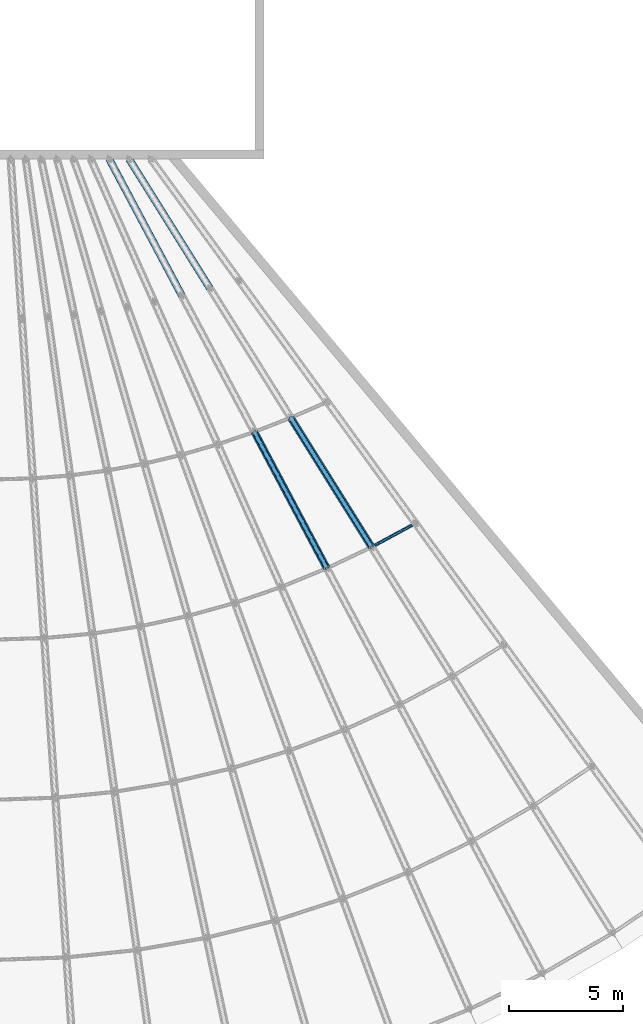
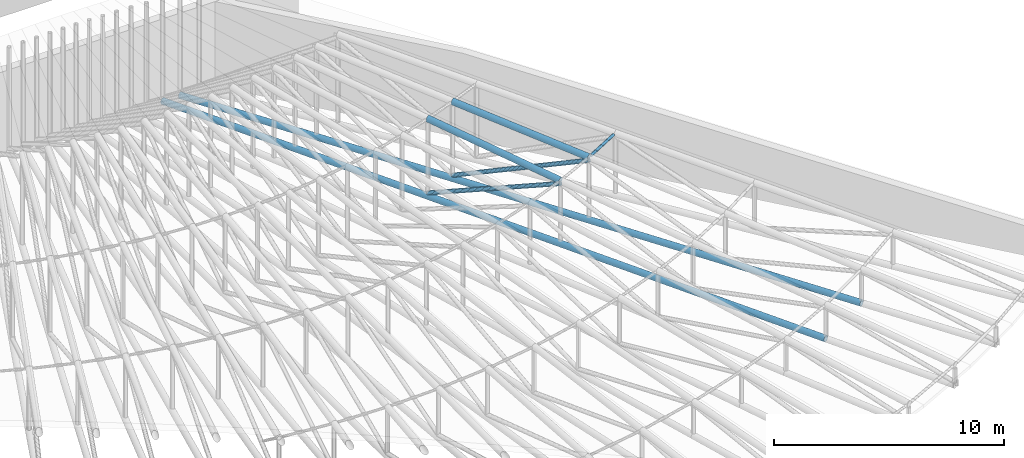
# One storey, part 40 of 163: 7 members.
"""IFC4 building model written with IfcOpenShell, lengths in metres."""

import ifcopenshell
import ifcopenshell.guid

model = None  # the IFC model being written
_history = None  # IfcOwnerHistory: only IFC2X3 demands one
_inside = {}  # id of a spatial element -> (the spatial element, [elements in it])
_under = {}  # id of a project, library or spatial element -> (it, [spatial elements below it])
_declared = {}  # id of a project -> (the project, [libraries it declares])
_typed = {}  # id of a type object -> (the type object, [elements of that type])
_made_of = {}  # id of a material, layer set ... -> (it, [elements and type objects made of it])


def new_model(schema):
    """Start an empty IFC model of exactly this schema.

    Asked for "IFC4X3", IfcOpenShell would pick the latest addendum, in which some entities
    have other attributes; the version numbers below select the first issue.
    IFC2X3 requires an IfcOwnerHistory on every rooted entity: one is made here for all.
    """
    global model, _history
    if schema == "IFC4X3":
        model = ifcopenshell.file(schema_version=(4, 3, 0, 0))
    else:
        model = ifcopenshell.file(schema=schema)
    _inside.clear()
    _under.clear()
    _declared.clear()
    _typed.clear()
    _made_of.clear()
    _history = None
    if model.schema == "IFC2X3":
        org = make("IfcOrganization", Name="unknown")
        user = make(
            "IfcPersonAndOrganization",
            ThePerson=make("IfcPerson", FamilyName="unknown"),
            TheOrganization=org,
        )
        app = make(
            "IfcApplication",
            ApplicationDeveloper=org,
            Version="unknown",
            ApplicationFullName="unknown",
            ApplicationIdentifier="unknown",
        )
        _history = make(
            "IfcOwnerHistory",
            OwningUser=user,
            OwningApplication=app,
            ChangeAction="ADDED",
            CreationDate=0,
        )
    return model


def make(cls, **values):
    """One entity of the class cls with the attributes given. An attribute that is None is left unset."""
    return model.create_entity(
        cls, **{name: value for name, value in values.items() if value is not None}
    )


def rooted(cls, **values):
    """An entity with a GlobalId (a new one), such as an element, a storey or a relation."""
    return make(cls, GlobalId=ifcopenshell.guid.new(), OwnerHistory=_history, **values)


def si_unit(unit_type, name, prefix=None):
    """IfcSIUnit, for example si_unit("LENGTHUNIT", "METRE", prefix="MILLI")."""
    return make("IfcSIUnit", UnitType=unit_type, Prefix=prefix, Name=name)


def assignment(units):
    """IfcUnitAssignment: the units of a project."""
    return None if units is None else make("IfcUnitAssignment", Units=units)


def point(xyz):
    """IfcCartesianPoint."""
    return None if xyz is None else make("IfcCartesianPoint", Coordinates=xyz)


def direction(xyz):
    """IfcDirection."""
    return None if xyz is None else make("IfcDirection", DirectionRatios=xyz)


def frame(location, z_axis=None, x_axis=None):
    """IfcAxis2Placement3D, a coordinate frame: its origin and axes. An axis left out is left unset."""
    return make(
        "IfcAxis2Placement3D",
        Location=point(location),
        Axis=direction(z_axis),
        RefDirection=direction(x_axis),
    )


def frame_2d(location, x_axis=None):
    """IfcAxis2Placement2D, a coordinate frame in the plane: its origin and x axis."""
    return make(
        "IfcAxis2Placement2D", Location=point(location), RefDirection=direction(x_axis)
    )


def origin():
    """The frame at (0, 0, 0) with its axes left unset."""
    return frame((0.0, 0.0, 0.0))


def origin_2d():
    """The frame at (0, 0) in the plane with its x axis left unset."""
    return frame_2d((0.0, 0.0))


def place(relative_to, where):
    """IfcLocalPlacement: puts the frame where relative to a parent placement (None: the world)."""
    return make(
        "IfcLocalPlacement", PlacementRelTo=relative_to, RelativePlacement=where
    )


def context(
    kind, dimensions, precision=None, world=None, true_north=None, identifier=None
):
    """IfcGeometricRepresentationContext, for example the 3D "Model" context."""
    return make(
        "IfcGeometricRepresentationContext",
        ContextIdentifier=identifier,
        ContextType=kind,
        CoordinateSpaceDimension=dimensions,
        Precision=precision,
        WorldCoordinateSystem=world,
        TrueNorth=true_north,
    )


def subcontext(parent, identifier, kind, view, scale=None):
    """IfcGeometricRepresentationSubContext, for example "Body" below "Model"."""
    return make(
        "IfcGeometricRepresentationSubContext",
        ContextIdentifier=identifier,
        ContextType=kind,
        ParentContext=parent,
        TargetScale=scale,
        TargetView=view,
    )


def project(units=None, contexts=None):
    """IfcProject with its units and contexts."""
    return rooted(
        "IfcProject",
        Name="project",
        RepresentationContexts=contexts,
        UnitsInContext=assignment(units),
    )


def spatial(cls, under=None, at=None, **own):
    """A site, building, storey or space (cls), placed at a placement, below another one or the project."""
    s = rooted(cls, ObjectPlacement=at, **own)
    if under is not None:
        _under.setdefault(under.id(), (under, []))[1].append(s)
    return s


def profile(cls, at=None, kind="AREA", **sizes):
    """A parametric profile (cls). Its sizes go by their IFC names, for example OverallWidth=200.0."""
    return make(cls, ProfileType=kind, Position=at, **sizes)


def hollow_circle(**sizes):
    """IfcCircleHollowProfileDef."""
    return profile("IfcCircleHollowProfileDef", **sizes)


def extrude(swept, where, along, depth):
    """IfcExtrudedAreaSolid: the profile swept, set in the frame where, extruded along a direction by depth."""
    return make(
        "IfcExtrudedAreaSolid",
        SweptArea=swept,
        Position=where,
        ExtrudedDirection=direction(along),
        Depth=depth,
    )


def shape(context_of_items, identifier, shape_type, items):
    """IfcShapeRepresentation: the items that make up one representation, for example the "Body"."""
    return make(
        "IfcShapeRepresentation",
        ContextOfItems=context_of_items,
        RepresentationIdentifier=identifier,
        RepresentationType=shape_type,
        Items=items,
    )


def material(Name=None, Category=None):
    """IfcMaterial."""
    return make("IfcMaterial", Name=Name, Category=Category)


def material_profile(
    of_material, cross_section, Name=None, Category=None, Priority=None
):
    """IfcMaterialProfile: a cross section and its material."""
    return make(
        "IfcMaterialProfile",
        Name=Name,
        Material=of_material,
        Profile=cross_section,
        Priority=Priority,
        Category=Category,
    )


def profile_set(profiles, Name=None, composite=None):
    """IfcMaterialProfileSet."""
    return make(
        "IfcMaterialProfileSet",
        Name=Name,
        MaterialProfiles=profiles,
        CompositeProfile=composite,
    )


def made_of(thing, what):
    """Note that an element or type object is made of a material, layer set ...; save() writes the relation."""
    if what is not None:
        _made_of.setdefault(what.id(), (what, []))[1].append(thing)
    return thing


def type_object(cls, material=None, **own):
    """A type object (cls), such as IfcWallType, which elements share."""
    return made_of(rooted(cls, **own), material)


def element(
    cls,
    number,
    at=None,
    inside=None,
    cuts=None,
    type_object=None,
    material=None,
    context=None,
    identifier="Body",
    shape_type=None,
    held_by="IfcProductDefinitionShape",
    body=None,
    shapes=None,
    **own,
):
    """One element of the class cls, such as IfcWall. Its Tag is "e" and its number.

    at: its placement. inside: the storey or other place that contains it. cuts: it is an
    opening in that element (IfcRelVoidsElement). A single representation is given by context,
    identifier, shape_type and body (its items); several are given by shapes. held_by: the class
    of the entity that holds the representations. save() writes the other relations.
    """
    e = rooted(cls, Tag="e%d" % number, ObjectPlacement=at, **own)
    if body is not None:
        shapes = [shape(context, identifier, shape_type, body)]
    if shapes is not None:
        e.Representation = make(held_by, Representations=shapes)
    if inside is not None:
        _inside.setdefault(inside.id(), (inside, []))[1].append(e)
    if cuts is not None:
        rooted(
            "IfcRelVoidsElement", RelatingBuildingElement=cuts, RelatedOpeningElement=e
        )
    if type_object is not None:
        _typed.setdefault(type_object.id(), (type_object, []))[1].append(e)
    return made_of(e, material)


def aggregate(whole, parts):
    """IfcRelAggregates: a whole, such as a stair, and the parts it consists of."""
    return rooted("IfcRelAggregates", RelatingObject=whole, RelatedObjects=parts)


def save(model, path):
    """Write the relations noted so far, then the file.

    IfcRelAggregates (storeys below a building ...), IfcRelContainedInSpatialStructure (elements
    in a storey), IfcRelDefinesByType, IfcRelAssociatesMaterial and IfcRelDeclares: one each for
    every whole, place, type object, material and project.
    """
    for whole, parts in _under.values():
        aggregate(whole, parts)
    for where, things in _inside.values():
        rooted(
            "IfcRelContainedInSpatialStructure",
            RelatedElements=things,
            RelatingStructure=where,
        )
    for kind, things in _typed.values():
        rooted("IfcRelDefinesByType", RelatedObjects=things, RelatingType=kind)
    for what, things in _made_of.values():
        rooted("IfcRelAssociatesMaterial", RelatedObjects=things, RelatingMaterial=what)
    for by, libraries in _declared.values():
        rooted("IfcRelDeclares", RelatingContext=by, RelatedDefinitions=libraries)
    model.write(path)


model = new_model("IFC4")

# Units and contexts
model_context = context("Model", 3, precision=1e-05, world=origin(), true_north=direction((0.0, 1.0)))
body_context = subcontext(model_context, "Body", "Model", "MODEL_VIEW")
ifc_project = project(units=[si_unit("LENGTHUNIT", "METRE"), si_unit("AREAUNIT", "SQUARE_METRE"), si_unit("VOLUMEUNIT", "CUBIC_METRE"), si_unit("PLANEANGLEUNIT", "RADIAN"), si_unit("MASSUNIT", "GRAM", prefix="KILO")], contexts=[model_context])

# Site, building, storey
site_placement = place(None, origin())
site = spatial("IfcSite", under=ifc_project, at=site_placement, CompositionType="ELEMENT")
building_placement = place(site_placement, origin())
building = spatial("IfcBuilding", under=site, at=building_placement, Name="Rain Tree Exposition and Congress Centre", CompositionType="ELEMENT")
storey_placement = place(building_placement, frame((0.0, 0.0, 10.5)))
storey = spatial("IfcBuildingStorey", under=building, at=storey_placement, Name="L02", CompositionType="ELEMENT", Elevation=10.5)

# Members
ifc_material_1 = material(Name="Steel S355J2H", Category="steel")
ifc_material_profile_1 = material_profile(ifc_material_1, hollow_circle(Radius=0.108154296875, WallThickness=0.008056640625, at=origin_2d()), Name="CHS 216x8")
ifc_profile_set_1 = profile_set([ifc_material_profile_1], Name="Steel S355J2H")
member_type_1 = type_object("IfcMemberType", Name="Steel brace member CHS 216x8", PredefinedType="BRACE", material=ifc_profile_set_1)
member_1_placement = place(storey_placement, frame((216.16015625, 39.81640625, 3.3388671875), z_axis=(-0.428994055333, 0.806789937791, -0.406268503294), x_axis=(-0.88294022737, -0.469485414993, 0.0)))
element("IfcMember", 1, at=member_1_placement, inside=storey, type_object=member_type_1, Name="TD17-4", PredefinedType="BRACE", context=body_context, shape_type="SweptSolid", body=[
    extrude(hollow_circle(Radius=0.108154296875, WallThickness=0.008056640625, at=origin_2d()), origin(), (0.0, 0.0, 1.0), 7.43408203125),
])
member_2_placement = place(storey_placement, frame((218.127685546875, 40.750244140625, 3.319091796875), z_axis=(-0.483715175782, 0.774077215686, -0.408441051897), x_axis=(-0.848039210505, -0.529933483982, 0.0)))
element("IfcMember", 2, at=member_2_placement, inside=storey, type_object=member_type_1, Name="TD18-4", PredefinedType="BRACE", context=body_context, shape_type="SweptSolid", body=[
    extrude(hollow_circle(Radius=0.108154296875, WallThickness=0.008056640625, at=origin_2d()), origin(), (0.0, 0.0, 1.0), 7.34619140625),
])
ifc_material_2 = material(Name="Steel S355J2H", Category="steel")
ifc_material_profile_2 = material_profile(ifc_material_2, hollow_circle(Radius=0.1591796875, WallThickness=0.010009765625, at=origin_2d()), Name="CHS 318x10")
ifc_profile_set_2 = profile_set([ifc_material_profile_2], Name="Steel S355J2H")
member_type_2 = type_object("IfcMemberType", Name="Steel chord member CHS 318x10", PredefinedType="CHORD", material=ifc_profile_set_2)
member_3_placement = place(storey_placement, frame((222.538330078125, 27.820556640625, 0.1591796875), z_axis=(-0.469468248423, 0.882949355129, 0.0), x_axis=(-0.882949355129, -0.469468248423, 0.0)))
element("IfcMember", 3, at=member_3_placement, inside=storey, type_object=member_type_2, Name="TC17-2", PredefinedType="CHORD", context=body_context, shape_type="SweptSolid", body=[
    extrude(hollow_circle(Radius=0.1591796875, WallThickness=0.010009765625, at=origin_2d()), origin(), (0.0, 0.0, 1.0), 33.965087890625),
])
member_4_placement = place(storey_placement, frame((216.16015625, 39.81640625, 3.5), z_axis=(-0.46654274878, 0.877406086601, 0.111787399807), x_axis=(-0.88294022737, -0.469485414993, 0.0)))
element("IfcMember", 4, at=member_4_placement, inside=storey, type_object=member_type_2, Name="TT17-4", PredefinedType="CHORD", context=body_context, shape_type="SweptSolid", body=[
    extrude(hollow_circle(Radius=0.1591796875, WallThickness=0.010009765625, at=origin_2d()), origin(), (0.0, 0.0, 1.0), 6.8359375),
])
member_5_placement = place(storey_placement, frame((225.234375, 29.377197265625, 0.1591796875), z_axis=(-0.529919737694, 0.848047800305, 0.0), x_axis=(-0.848047800305, -0.529919737694, 0.0)))
element("IfcMember", 5, at=member_5_placement, inside=storey, type_object=member_type_2, Name="TC18-2", PredefinedType="CHORD", context=body_context, shape_type="SweptSolid", body=[
    extrude(hollow_circle(Radius=0.1591796875, WallThickness=0.010009765625, at=origin_2d()), origin(), (0.0, 0.0, 1.0), 33.52734375),
])
member_6_placement = place(storey_placement, frame((218.127685546875, 40.750244140625, 3.480224609375), z_axis=(-0.526611269539, 0.842722754387, 0.111798613732), x_axis=(-0.848039210505, -0.529933483982, 0.0)))
element("IfcMember", 6, at=member_6_placement, inside=storey, type_object=member_type_2, Name="TT18-4", PredefinedType="CHORD", context=body_context, shape_type="SweptSolid", body=[
    extrude(hollow_circle(Radius=0.1591796875, WallThickness=0.010009765625, at=origin_2d()), origin(), (0.0, 0.0, 1.0), 6.747802734375),
])
ifc_material_3 = material(Name="Steel S355J2H", Category="steel")
ifc_material_profile_3 = material_profile(ifc_material_3, hollow_circle(Radius=0.06982421875, WallThickness=0.0048828125, at=origin_2d()), Name="CHS 140x5")
ifc_profile_set_3 = profile_set([ifc_material_profile_3], Name="Steel S355J2H")
member_type_3 = type_object("IfcMemberType", Name="Steel purlin member CHS 140x5", PredefinedType="PURLIN", material=ifc_profile_set_3)
member_7_placement = place(storey_placement, frame((218.267578125, 40.825927734375, 3.478515625), z_axis=(0.87943915448, 0.475885861995, -0.010927942156), x_axis=(-0.475914279666, 0.879491670461, 0.0)))
element("IfcMember", 7, at=member_7_placement, inside=storey, type_object=member_type_3, Name="PU18-3", PredefinedType="PURLIN", context=body_context, shape_type="SweptSolid", body=[
    extrude(hollow_circle(Radius=0.06982421875, WallThickness=0.0048828125, at=origin_2d()), origin(), (0.0, 0.0, 1.0), 1.876708984375),
])

save(model, "model.ifc")
